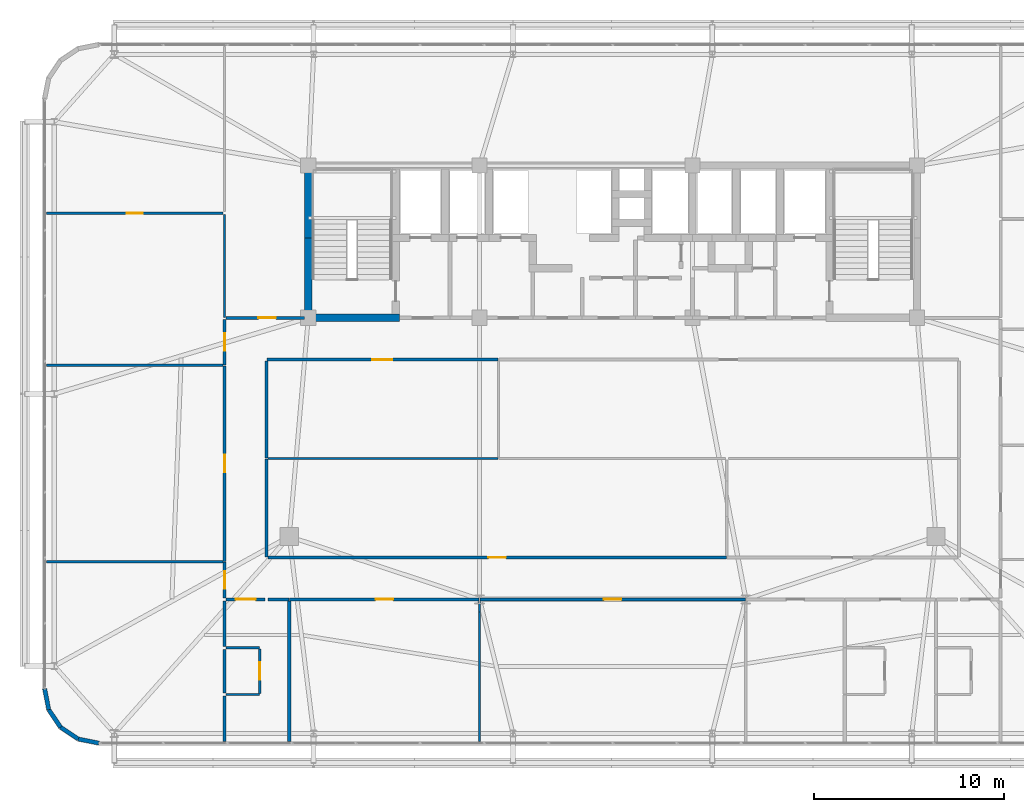
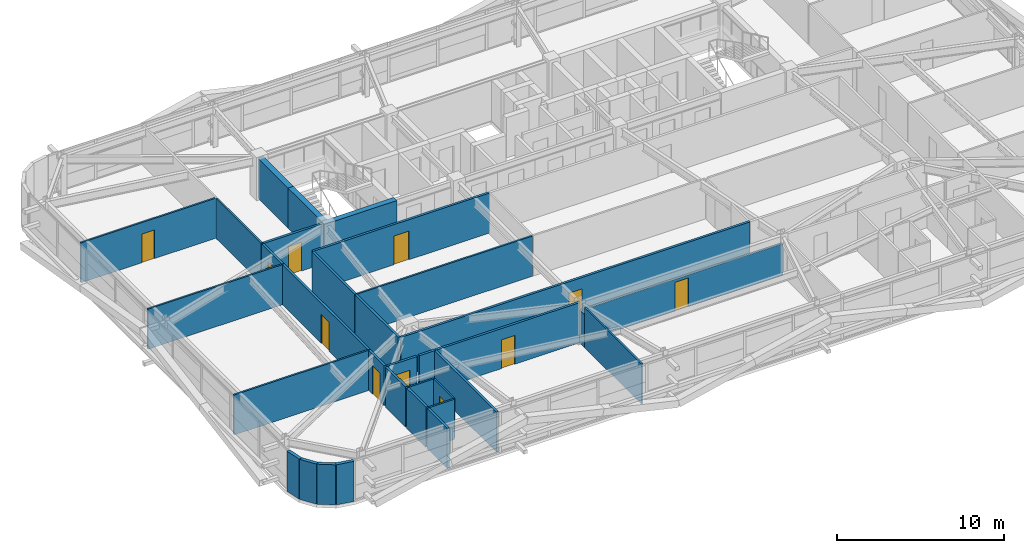
# One storey, part 52 of 59: 33 walls, 11 doors, 11 openings.
"""IFC4 building model written with IfcOpenShell, lengths in metres."""

from ifc_helpers import new_model, si_unit, direction, frame, frame_2d, origin, place, context, subcontext, project, spatial, rectangle, extrude, source, transform, mapped, material, layer, layer_set, type_object, element, fill, save


model = new_model("IFC4")

# Units and contexts
model_context = context("Model", 3, precision=1e-05, world=origin(), true_north=direction((0.0, 1.0)))
body_context = subcontext(model_context, "Body", "Model", "MODEL_VIEW")
ifc_project = project(units=[si_unit("LENGTHUNIT", "METRE"), si_unit("AREAUNIT", "SQUARE_METRE"), si_unit("VOLUMEUNIT", "CUBIC_METRE"), si_unit("PLANEANGLEUNIT", "RADIAN"), si_unit("MASSUNIT", "GRAM", prefix="KILO")], contexts=[model_context])

# Site, building, storey
site_placement = place(None, origin())
site = spatial("IfcSite", under=ifc_project, at=site_placement, CompositionType="ELEMENT")
building_placement = place(site_placement, origin())
building = spatial("IfcBuilding", under=site, at=building_placement, Name="Taldren Reach Tower", CompositionType="ELEMENT")
storey_placement = place(building_placement, frame((0.0, 0.0, 29.39990234375)))
storey = spatial("IfcBuildingStorey", under=building, at=storey_placement, Name="L08", CompositionType="ELEMENT", Elevation=29.39990234375)

# Walls
ifc_material_1 = material(Name="Pale Champagne Anodised Aluminium Cladding", Category="aluminium")
ifc_layer_1 = layer(ifc_material_1, 0.04, Name="Pale Champagne Anodised Aluminium Cladding", Category="aluminium")
ifc_material_2 = material(Name="Mineral Wool Acoustic Insulation", Category="insulation")
ifc_layer_2 = layer(ifc_material_2, 0.06, Name="Mineral Wool Acoustic Insulation", Category="insulation")
ifc_material_3 = material(Name="Steel Gr 350 (C350L0)", Category="steel")
ifc_layer_3 = layer(ifc_material_3, 0.12, Name="Steel Gr 350 (C350L0)", Category="steel")
ifc_layer_set_1 = layer_set([ifc_layer_1, ifc_layer_2, ifc_layer_3], Name="Pale Champagne Aluminium Cladding and Steel Gr 350 Stud Framing")
wall_type_1 = type_object("IfcWallType", Name="EW-CRN-220", PredefinedType="SOLIDWALL", material=ifc_layer_set_1)
shared_shape_1 = source(origin(), body_context, "Body", "SweptSolid", [
    extrude(rectangle(XDim=1.115966796875, YDim=0.219970703125, at=frame_2d((0.55810546875, 0.0))), origin(), (0.0, 0.0, 1.0), 2.93017578125),
])
for number, where, z_axis, x_axis, name in (
    (1, (5.139892578125, 4.5, 0.0), (0.0, 0.0, 1.0), (0.195148375659, -0.98077373103, 0.0), "Rounded-corner pale-metal facade wall L08-SW1"),
    (2, (5.357666015625, 3.405517578125, 0.0), (0.0, 0.0, 1.0), (0.555709556774, -0.83137650226, 0.0), "Rounded-corner pale-metal facade wall L08-SW2"),
    (3, (5.977783203125, 2.477783203125, 0.0), (0.0, 0.0, 1.0), (0.83137650226, -0.555709556774, 0.0), "Rounded-corner pale-metal facade wall L08-SW3"),
    (4, (6.905517578125, 1.857666015625, 0.0), (0.0, 0.0, 1.0), (0.98077373103, -0.195148375659, 0.0), "Rounded-corner pale-metal facade wall L08-SW4"),
):
    element("IfcWall", number, at=place(storey_placement, frame(where, z_axis=z_axis, x_axis=x_axis)), inside=storey, type_object=wall_type_1, Name=name, PredefinedType="SOLIDWALL", context=body_context, shape_type="MappedRepresentation", body=[
        mapped(shared_shape_1, transform((0.0, 0.0, 0.0), scale=1.0)),
    ])
ifc_material_4 = material(Name="Concrete S80 (80 MPa)", Category="concrete")
ifc_layer_4 = layer(ifc_material_4, 0.3798828125)
ifc_layer_set_2 = layer_set([ifc_layer_4], Name="Concrete S80 (80 MPa)")
wall_type_2 = type_object("IfcWallType", Name="IW-CORE-380", PredefinedType="SHEAR", material=ifc_layer_set_2)
shared_shape_2 = source(origin(), body_context, "Body", "SweptSolid", [
    extrude(rectangle(XDim=4.010009765625, YDim=0.3798828125, at=frame_2d((2.0048828125, 0.0))), origin(), (0.0, 0.0, 1.0), 2.93017578125),
])
wall_1_placement = place(storey_placement, frame((19.0, 24.18994140625, 0.0), z_axis=(0.0, 0.0, 1.0), x_axis=(0.0, 1.0, 0.0)))
element("IfcWall", 5, at=wall_1_placement, inside=storey, type_object=wall_type_2, Name="Rear Core Shear Wall W-CORE-L08-WEST1", PredefinedType="SHEAR", context=body_context, shape_type="MappedRepresentation", body=[
    mapped(shared_shape_2, transform((0.0, 0.0, 0.0), scale=1.0)),
])
shared_shape_3 = source(origin(), body_context, "Body", "SweptSolid", [
    extrude(rectangle(XDim=3.610107421875, YDim=0.3798828125, at=frame_2d((1.80517578125, 0.0))), origin(), (0.0, 0.0, 1.0), 2.93017578125),
])
wall_2_placement = place(storey_placement, frame((19.0, 28.199951171875, 0.0), z_axis=(0.0, 0.0, 1.0), x_axis=(0.0, 1.0, 0.0)))
element("IfcWall", 6, at=wall_2_placement, inside=storey, type_object=wall_type_2, Name="Rear Core Shear Wall W-CORE-L08-WEST2", PredefinedType="SHEAR", context=body_context, shape_type="MappedRepresentation", body=[
    mapped(shared_shape_3, transform((0.0, 0.0, 0.0), scale=1.0)),
])
shared_shape_4 = source(origin(), body_context, "Body", "SweptSolid", [
    extrude(rectangle(XDim=4.97998046875, YDim=0.3798828125, at=frame_2d((2.489990234375, 0.0))), origin(), (0.0, 0.0, 1.0), 2.93017578125),
])
wall_3_placement = place(storey_placement, frame((18.81005859375, 24.0, 0.0), z_axis=(0.0, 0.0, 1.0), x_axis=(1.0, 0.0, 0.0)))
element("IfcWall", 7, at=wall_3_placement, inside=storey, type_object=wall_type_2, Name="Rear Core Shear Wall W-INT-L08-003", PredefinedType="SHEAR", context=body_context, shape_type="MappedRepresentation", body=[
    mapped(shared_shape_4, transform((0.0, 0.0, 0.0), scale=1.0)),
])
ifc_material_5 = material(Name="Fire-Rated Acoustic Plasterboard Stud Wall", Category="gypsum")
ifc_layer_5 = layer(ifc_material_5, 0.159912109375)
ifc_layer_set_3 = layer_set([ifc_layer_5], Name="Fire-Rated Acoustic Plasterboard Stud Wall")
wall_type_3 = type_object("IfcWallType", Name="IW-FIRE-160", PredefinedType="PARTITIONING", material=ifc_layer_set_3)
shared_shape_5 = source(origin(), body_context, "Body", "SweptSolid", [
    extrude(rectangle(XDim=5.15966796875, YDim=0.159912109375, at=frame_2d((2.579833984375, 0.0))), origin(), (0.0, 0.0, 1.0), 2.93017578125),
])
wall_4_placement = place(storey_placement, frame((16.800048828125, 16.579833984375, 0.0), z_axis=(0.0, 0.0, 1.0), x_axis=(0.0, -1.0, 0.0)))
element("IfcWall", 8, at=wall_4_placement, inside=storey, type_object=wall_type_3, Name="Interior Partition Wall W-INT-L08-060", PredefinedType="PARTITIONING", context=body_context, shape_type="MappedRepresentation", body=[
    mapped(shared_shape_5, transform((0.0, 0.0, 0.0), scale=1.0)),
])

# Wall, opening, door
shared_shape_6 = source(origin(), body_context, "Body", "SweptSolid", [
    extrude(rectangle(XDim=12.159423828125, YDim=0.159912109375, at=frame_2d((6.07958984375, 0.0))), origin(), (0.0, 0.0, 1.0), 2.93017578125),
])
wall_5_placement = place(storey_placement, frame((28.979736328125, 21.800048828125, 0.0), z_axis=(0.0, 0.0, 1.0), x_axis=(-1.0, 0.0, 0.0)))
wall_5 = element("IfcWall", 9, at=wall_5_placement, inside=storey, type_object=wall_type_3, Name="Interior Partition Wall W-INT-L08-062", PredefinedType="PARTITIONING", context=body_context, shape_type="MappedRepresentation", body=[
    mapped(shared_shape_6, transform((0.0, 0.0, 0.0), scale=1.0)),
])
shared_shape_7 = source(origin(), body_context, "Body", "SweptSolid", [
    extrude(rectangle(XDim=1.050048828125, YDim=2.10009765625, at=frame_2d((0.52490234375, 1.050048828125))), frame((0.0, 0.08984375, 0.0), z_axis=(0.0, -1.0, 0.0), x_axis=(1.0, 0.0, 0.0)), (0.0, 0.0, 1.0), 0.179931640625),
])
opening_1_placement = place(wall_5_placement, frame((5.5546875, 0.0, 0.0)))
opening_1 = element("IfcOpeningElement", 10, at=opening_1_placement, cuts=wall_5, Name="Opening DF-105", PredefinedType="OPENING", context=body_context, shape_type="MappedRepresentation", body=[
    mapped(shared_shape_7, transform((0.0, 0.0, 0.0), scale=1.0)),
])
ifc_material_6 = material(Name="Fire-Rated Care and Stair Exit Door")
door_type_1 = type_object("IfcDoorType", Name="ID-FIRE-105", OperationType="NOTDEFINED", PredefinedType="DOOR", material=ifc_material_6)
shared_shape_8 = source(origin(), body_context, "Body", "SweptSolid", [
    extrude(rectangle(XDim=1.050048828125, YDim=2.10009765625, at=frame_2d((0.52490234375, 1.050048828125))), frame((0.0, 0.02490234375, 0.0), z_axis=(0.0, -1.0, 0.0), x_axis=(1.0, 0.0, 0.0)), (0.0, 0.0, 1.0), 0.050048828125),
])
door_1_placement = place(opening_1_placement, origin())
door_1 = element("IfcDoor", 11, at=door_1_placement, inside=storey, type_object=door_type_1, Name="Interior Door DR-L08-014", OperationType="SINGLE_SWING_LEFT", OverallHeight=2.10009765625, OverallWidth=1.050048828125, PredefinedType="DOOR", context=body_context, shape_type="MappedRepresentation", body=[
    mapped(shared_shape_8, transform((0.0, 0.0, 0.0), scale=1.0)),
])
fill(opening_1, door_1)

# Wall
shared_shape_9 = source(origin(), body_context, "Body", "SweptSolid", [
    extrude(rectangle(XDim=5.099853515625, YDim=0.159912109375, at=frame_2d((2.5498046875, 0.0))), origin(), (0.0, 0.0, 1.0), 2.93017578125),
])
wall_6_placement = place(storey_placement, frame((16.800048828125, 21.719970703125, 0.0), z_axis=(0.0, 0.0, 1.0), x_axis=(0.0, -1.0, 0.0)))
element("IfcWall", 12, at=wall_6_placement, inside=storey, type_object=wall_type_3, Name="Interior Partition Wall W-INT-L08-063", PredefinedType="PARTITIONING", context=body_context, shape_type="MappedRepresentation", body=[
    mapped(shared_shape_9, transform((0.0, 0.0, 0.0), scale=1.0)),
])

# Wall, opening, door
shared_shape_10 = source(origin(), body_context, "Body", "SweptSolid", [
    extrude(rectangle(XDim=2.0400390625, YDim=0.159912109375, at=frame_2d((1.02001953125, 0.0))), origin(), (0.0, 0.0, 1.0), 2.93017578125),
])
wall_7_placement = place(storey_placement, frame((16.719970703125, 9.199951171875, 0.0), z_axis=(0.0, 0.0, 1.0), x_axis=(-1.0, 0.0, 0.0)))
wall_7 = element("IfcWall", 13, at=wall_7_placement, inside=storey, type_object=wall_type_3, Name="Interior Partition Wall W-INT-L08-066", PredefinedType="PARTITIONING", context=body_context, shape_type="MappedRepresentation", body=[
    mapped(shared_shape_10, transform((0.0, 0.0, 0.0), scale=1.0)),
])
opening_2_placement = place(wall_7_placement, frame((0.4951171875, 0.0, 0.0)))
opening_2 = element("IfcOpeningElement", 14, at=opening_2_placement, cuts=wall_7, Name="Opening DF-105", PredefinedType="OPENING", context=body_context, shape_type="MappedRepresentation", body=[
    mapped(shared_shape_7, transform((0.0, 0.0, 0.0), scale=1.0)),
])
door_2_placement = place(opening_2_placement, origin())
door_2 = element("IfcDoor", 15, at=door_2_placement, inside=storey, type_object=door_type_1, Name="Interior Door DR-L08-016", OperationType="SINGLE_SWING_LEFT", OverallHeight=2.10009765625, OverallWidth=1.050048828125, PredefinedType="DOOR", context=body_context, shape_type="MappedRepresentation", body=[
    mapped(shared_shape_8, transform((0.0, 0.0, 0.0), scale=1.0)),
])
fill(opening_2, door_2)

shared_shape_11 = source(origin(), body_context, "Body", "SweptSolid", [
    extrude(rectangle(XDim=1.877685546875, YDim=0.159912109375, at=frame_2d((0.93896484375, 0.0))), origin(), (0.0, 0.0, 1.0), 2.93017578125),
])
wall_8_placement = place(storey_placement, frame((14.60009765625, 9.280029296875, 0.0), z_axis=(0.0, 0.0, 1.0), x_axis=(0.0, 1.0, 0.0)))
wall_8 = element("IfcWall", 16, at=wall_8_placement, inside=storey, type_object=wall_type_3, Name="Interior Partition Wall W-INT-L08-068", PredefinedType="PARTITIONING", context=body_context, shape_type="MappedRepresentation", body=[
    mapped(shared_shape_11, transform((0.0, 0.0, 0.0), scale=1.0)),
])
shared_shape_12 = source(origin(), body_context, "Body", "SweptSolid", [
    extrude(rectangle(XDim=0.919921875, YDim=2.10009765625, at=frame_2d((0.4599609375, 1.050048828125))), frame((0.0, 0.08984375, 0.0), z_axis=(0.0, -1.0, 0.0), x_axis=(1.0, 0.0, 0.0)), (0.0, 0.0, 1.0), 0.179931640625),
])
opening_3_placement = place(wall_8_placement, frame((0.47900390625, 0.0, 0.0)))
opening_3 = element("IfcOpeningElement", 17, at=opening_3_placement, cuts=wall_8, Name="Opening DI-092", PredefinedType="OPENING", context=body_context, shape_type="MappedRepresentation", body=[
    mapped(shared_shape_12, transform((0.0, 0.0, 0.0), scale=1.0)),
])
ifc_material_7 = material(Name="Solid-Core Timber Suite Door", Category="wood")
door_type_2 = type_object("IfcDoorType", Name="ID-INT-092", OperationType="NOTDEFINED", PredefinedType="DOOR", material=ifc_material_7)
shared_shape_13 = source(origin(), body_context, "Body", "SweptSolid", [
    extrude(rectangle(XDim=0.919921875, YDim=2.10009765625, at=frame_2d((0.4599609375, 1.050048828125))), frame((0.0, 0.02490234375, 0.0), z_axis=(0.0, -1.0, 0.0), x_axis=(1.0, 0.0, 0.0)), (0.0, 0.0, 1.0), 0.050048828125),
])
door_3_placement = place(opening_3_placement, origin())
door_3 = element("IfcDoor", 18, at=door_3_placement, inside=storey, type_object=door_type_2, Name="Interior Door DR-L08-018", OperationType="SINGLE_SWING_LEFT", OverallHeight=2.10009765625, OverallWidth=0.919921875, PredefinedType="DOOR", context=body_context, shape_type="MappedRepresentation", body=[
    mapped(shared_shape_13, transform((0.0, 0.0, 0.0), scale=1.0)),
])
fill(opening_3, door_3)

shared_shape_14 = source(origin(), body_context, "Body", "SweptSolid", [
    extrude(rectangle(XDim=10.28125, YDim=0.159912109375, at=frame_2d((5.140625, 0.0))), origin(), (0.0, 0.0, 1.0), 2.93017578125),
])
wall_9_placement = place(storey_placement, frame((14.60009765625, 11.1982421875, 0.0), z_axis=(0.0, 0.0, 1.0), x_axis=(0.0, 1.0, 0.0)))
wall_9 = element("IfcWall", 19, at=wall_9_placement, inside=storey, type_object=wall_type_3, Name="Interior Partition Wall W-INT-L08-069", PredefinedType="PARTITIONING", context=body_context, shape_type="MappedRepresentation", body=[
    mapped(shared_shape_14, transform((0.0, 0.0, 0.0), scale=1.0)),
])
opening_4_placement = place(wall_9_placement, frame((4.6806640625, 0.0, 0.0)))
opening_4 = element("IfcOpeningElement", 20, at=opening_4_placement, cuts=wall_9, Name="Opening DI-092", PredefinedType="OPENING", context=body_context, shape_type="MappedRepresentation", body=[
    mapped(shared_shape_12, transform((0.0, 0.0, 0.0), scale=1.0)),
])
door_4_placement = place(opening_4_placement, origin())
door_4 = element("IfcDoor", 21, at=door_4_placement, inside=storey, type_object=door_type_2, Name="Interior Door DR-L08-019", OperationType="SINGLE_SWING_RIGHT", OverallHeight=2.10009765625, OverallWidth=0.919921875, PredefinedType="DOOR", context=body_context, shape_type="MappedRepresentation", body=[
    mapped(shared_shape_13, transform((0.0, 0.0, 0.0), scale=1.0)),
])
fill(opening_4, door_4)

shared_shape_15 = source(origin(), body_context, "Body", "SweptSolid", [
    extrude(rectangle(XDim=2.399658203125, YDim=0.159912109375, at=frame_2d((1.19970703125, 0.0))), origin(), (0.0, 0.0, 1.0), 2.93017578125),
])
wall_10_placement = place(storey_placement, frame((14.60009765625, 21.520263671875, 0.0), z_axis=(0.0, 0.0, 1.0), x_axis=(0.0, 1.0, 0.0)))
wall_10 = element("IfcWall", 22, at=wall_10_placement, inside=storey, type_object=wall_type_3, Name="Interior Partition Wall W-INT-L08-070", PredefinedType="PARTITIONING", context=body_context, shape_type="MappedRepresentation", body=[
    mapped(shared_shape_15, transform((0.0, 0.0, 0.0), scale=1.0)),
])
opening_5_placement = place(wall_10_placement, frame((0.739990234375, 0.0, 0.0)))
opening_5 = element("IfcOpeningElement", 23, at=opening_5_placement, cuts=wall_10, Name="Opening DI-092", PredefinedType="OPENING", context=body_context, shape_type="MappedRepresentation", body=[
    mapped(shared_shape_12, transform((0.0, 0.0, 0.0), scale=1.0)),
])
door_5_placement = place(opening_5_placement, origin())
door_5 = element("IfcDoor", 24, at=door_5_placement, inside=storey, type_object=door_type_2, Name="Interior Door DR-L08-020", OperationType="SINGLE_SWING_LEFT", OverallHeight=2.10009765625, OverallWidth=0.919921875, PredefinedType="DOOR", context=body_context, shape_type="MappedRepresentation", body=[
    mapped(shared_shape_13, transform((0.0, 0.0, 0.0), scale=1.0)),
])
fill(opening_5, door_5)

shared_shape_16 = source(origin(), body_context, "Body", "SweptSolid", [
    extrude(rectangle(XDim=4.130126953125, YDim=0.159912109375, at=frame_2d((2.06494140625, 0.0))), origin(), (0.0, 0.0, 1.0), 2.93017578125),
])
wall_11_placement = place(storey_placement, frame((14.679931640625, 24.0, 0.0), z_axis=(0.0, 0.0, 1.0), x_axis=(1.0, 0.0, 0.0)))
wall_11 = element("IfcWall", 25, at=wall_11_placement, inside=storey, type_object=wall_type_3, Name="Interior Partition Wall W-INT-L08-075", PredefinedType="PARTITIONING", context=body_context, shape_type="MappedRepresentation", body=[
    mapped(shared_shape_16, transform((0.0, 0.0, 0.0), scale=1.0)),
])
opening_6_placement = place(wall_11_placement, frame((1.68994140625, 0.0, 0.0)))
opening_6 = element("IfcOpeningElement", 26, at=opening_6_placement, cuts=wall_11, Name="Opening DI-092", PredefinedType="OPENING", context=body_context, shape_type="MappedRepresentation", body=[
    mapped(shared_shape_12, transform((0.0, 0.0, 0.0), scale=1.0)),
])
door_6_placement = place(opening_6_placement, origin())
door_6 = element("IfcDoor", 27, at=door_6_placement, inside=storey, type_object=door_type_2, Name="Interior Door DR-L08-024", OperationType="SINGLE_SWING_LEFT", OverallHeight=2.10009765625, OverallWidth=0.919921875, PredefinedType="DOOR", context=body_context, shape_type="MappedRepresentation", body=[
    mapped(shared_shape_13, transform((0.0, 0.0, 0.0), scale=1.0)),
])
fill(opening_6, door_6)

shared_shape_17 = source(origin(), body_context, "Body", "SweptSolid", [
    extrude(rectangle(XDim=24.099853515625, YDim=0.159912109375, at=frame_2d((12.0498046875, 0.0))), origin(), (0.0, 0.0, 1.0), 2.93017578125),
])
wall_12_placement = place(storey_placement, frame((16.8798828125, 11.39990234375, 0.0), z_axis=(0.0, 0.0, 1.0), x_axis=(1.0, 0.0, 0.0)))
wall_12 = element("IfcWall", 28, at=wall_12_placement, inside=storey, type_object=wall_type_3, Name="Interior Partition Wall W-INT-L08-077", PredefinedType="PARTITIONING", context=body_context, shape_type="MappedRepresentation", body=[
    mapped(shared_shape_17, transform((0.0, 0.0, 0.0), scale=1.0)),
])
opening_7_placement = place(wall_12_placement, frame((11.58984375, 0.0, 0.0)))
opening_7 = element("IfcOpeningElement", 29, at=opening_7_placement, cuts=wall_12, Name="Opening DI-092", PredefinedType="OPENING", context=body_context, shape_type="MappedRepresentation", body=[
    mapped(shared_shape_12, transform((0.0, 0.0, 0.0), scale=1.0)),
])
door_7_placement = place(opening_7_placement, origin())
door_7 = element("IfcDoor", 30, at=door_7_placement, inside=storey, type_object=door_type_2, Name="Interior Door DR-L08-025", OperationType="SINGLE_SWING_RIGHT", OverallHeight=2.10009765625, OverallWidth=0.919921875, PredefinedType="DOOR", context=body_context, shape_type="MappedRepresentation", body=[
    mapped(shared_shape_13, transform((0.0, 0.0, 0.0), scale=1.0)),
])
fill(opening_7, door_7)

# Wall
shared_shape_18 = source(origin(), body_context, "Body", "SweptSolid", [
    extrude(rectangle(XDim=1.099853515625, YDim=0.159912109375, at=frame_2d((0.5498046875, 0.0))), origin(), (0.0, 0.0, 1.0), 2.93017578125),
])
wall_13_placement = place(storey_placement, frame((17.979736328125, 9.199951171875, 0.0), z_axis=(0.0, 0.0, 1.0), x_axis=(-1.0, 0.0, 0.0)))
element("IfcWall", 31, at=wall_13_placement, inside=storey, type_object=wall_type_3, Name="Interior Partition Wall W-INT-L08-079", PredefinedType="PARTITIONING", context=body_context, shape_type="MappedRepresentation", body=[
    mapped(shared_shape_18, transform((0.0, 0.0, 0.0), scale=1.0)),
])

# Wall, opening, door
shared_shape_19 = source(origin(), body_context, "Body", "SweptSolid", [
    extrude(rectangle(XDim=9.95947265625, YDim=0.159912109375, at=frame_2d((4.979736328125, 0.0))), origin(), (0.0, 0.0, 1.0), 2.93017578125),
])
wall_14_placement = place(storey_placement, frame((27.979736328125, 9.199951171875, 0.0), z_axis=(0.0, 0.0, 1.0), x_axis=(-1.0, 0.0, 0.0)))
wall_14 = element("IfcWall", 32, at=wall_14_placement, inside=storey, type_object=wall_type_3, Name="Interior Partition Wall W-INT-L08-080", PredefinedType="PARTITIONING", context=body_context, shape_type="MappedRepresentation", body=[
    mapped(shared_shape_19, transform((0.0, 0.0, 0.0), scale=1.0)),
])
opening_8_placement = place(wall_14_placement, frame((4.519775390625, 0.0, 0.0)))
opening_8 = element("IfcOpeningElement", 33, at=opening_8_placement, cuts=wall_14, Name="Opening DI-092", PredefinedType="OPENING", context=body_context, shape_type="MappedRepresentation", body=[
    mapped(shared_shape_12, transform((0.0, 0.0, 0.0), scale=1.0)),
])
door_8_placement = place(opening_8_placement, origin())
door_8 = element("IfcDoor", 34, at=door_8_placement, inside=storey, type_object=door_type_2, Name="Interior Door DR-L08-027", OperationType="SINGLE_SWING_RIGHT", OverallHeight=2.10009765625, OverallWidth=0.919921875, PredefinedType="DOOR", context=body_context, shape_type="MappedRepresentation", body=[
    mapped(shared_shape_13, transform((0.0, 0.0, 0.0), scale=1.0)),
])
fill(opening_8, door_8)

shared_shape_20 = source(origin(), body_context, "Body", "SweptSolid", [
    extrude(rectangle(XDim=13.95947265625, YDim=0.159912109375, at=frame_2d((6.979736328125, 0.0))), origin(), (0.0, 0.0, 1.0), 2.328125),
])
wall_15_placement = place(storey_placement, frame((41.979736328125, 9.199951171875, 0.0), z_axis=(0.0, 0.0, 1.0), x_axis=(-1.0, 0.0, 0.0)))
wall_15 = element("IfcWall", 35, at=wall_15_placement, inside=storey, type_object=wall_type_3, Name="Interior Partition Wall W-INT-L08-081", PredefinedType="PARTITIONING", context=body_context, shape_type="MappedRepresentation", body=[
    mapped(shared_shape_20, transform((0.0, 0.0, 0.0), scale=1.0)),
])
opening_9_placement = place(wall_15_placement, frame((6.519775390625, 0.0, 0.0)))
opening_9 = element("IfcOpeningElement", 36, at=opening_9_placement, cuts=wall_15, Name="Opening DI-092", PredefinedType="OPENING", context=body_context, shape_type="MappedRepresentation", body=[
    mapped(shared_shape_12, transform((0.0, 0.0, 0.0), scale=1.0)),
])
door_9_placement = place(opening_9_placement, origin())
door_9 = element("IfcDoor", 37, at=door_9_placement, inside=storey, type_object=door_type_2, Name="Interior Door DR-L08-028", OperationType="SINGLE_SWING_LEFT", OverallHeight=2.10009765625, OverallWidth=0.919921875, PredefinedType="DOOR", context=body_context, shape_type="MappedRepresentation", body=[
    mapped(shared_shape_13, transform((0.0, 0.0, 0.0), scale=1.0)),
])
fill(opening_9, door_9)

# Wall
ifc_material_8 = material(Name="Insulated Residential Stud Partition", Category="gypsum")
ifc_layer_6 = layer(ifc_material_8, 0.1201171875)
ifc_layer_set_4 = layer_set([ifc_layer_6], Name="Insulated Residential Stud Partition")
wall_type_4 = type_object("IfcWallType", Name="IW-PART-120", PredefinedType="PARTITIONING", material=ifc_layer_set_4)
shared_shape_21 = source(origin(), body_context, "Body", "SweptSolid", [
    extrude(rectangle(XDim=12.099853515625, YDim=0.1201171875, at=frame_2d((6.0498046875, 0.0))), origin(), (0.0, 0.0, 1.0), 2.93017578125),
])
wall_16_placement = place(storey_placement, frame((16.8798828125, 16.60009765625, 0.0), z_axis=(0.0, 0.0, 1.0), x_axis=(1.0, 0.0, 0.0)))
element("IfcWall", 38, at=wall_16_placement, inside=storey, type_object=wall_type_4, Name="Interior Partition Wall W-INT-L08-086", PredefinedType="PARTITIONING", context=body_context, shape_type="MappedRepresentation", body=[
    mapped(shared_shape_21, transform((0.0, 0.0, 0.0), scale=1.0)),
])

# Wall, opening, door
shared_shape_22 = source(origin(), body_context, "Body", "SweptSolid", [
    extrude(rectangle(XDim=2.330078125, YDim=0.1201171875, at=frame_2d((1.1650390625, 0.0))), origin(), (0.0, 0.0, 1.0), 2.93017578125),
])
wall_17_placement = place(storey_placement, frame((16.449951171875, 4.260009765625, 0.0), z_axis=(0.0, 0.0, 1.0), x_axis=(0.0, 1.0, 0.0)))
wall_17 = element("IfcWall", 39, at=wall_17_placement, inside=storey, type_object=wall_type_4, Name="Interior Partition Wall W-INT-L08-090", PredefinedType="PARTITIONING", context=body_context, shape_type="MappedRepresentation", body=[
    mapped(shared_shape_22, transform((0.0, 0.0, 0.0), scale=1.0)),
])
shared_shape_23 = source(origin(), body_context, "Body", "SweptSolid", [
    extrude(rectangle(XDim=0.919921875, YDim=2.10009765625, at=frame_2d((0.4599609375, 1.050048828125))), frame((0.0, 0.070068359375, 0.0), z_axis=(0.0, -1.0, 0.0), x_axis=(1.0, 0.0, 0.0)), (0.0, 0.0, 1.0), 0.14013671875),
])
opening_10_placement = place(wall_17_placement, frame((0.705078125, 0.0, 0.0)))
opening_10 = element("IfcOpeningElement", 40, at=opening_10_placement, cuts=wall_17, Name="Opening DI-092", PredefinedType="OPENING", context=body_context, shape_type="MappedRepresentation", body=[
    mapped(shared_shape_23, transform((0.0, 0.0, 0.0), scale=1.0)),
])
door_10_placement = place(opening_10_placement, origin())
door_10 = element("IfcDoor", 41, at=door_10_placement, inside=storey, type_object=door_type_2, Name="Interior Door DR-L08-031", OperationType="SINGLE_SWING_RIGHT", OverallHeight=2.10009765625, OverallWidth=0.919921875, PredefinedType="DOOR", context=body_context, shape_type="MappedRepresentation", body=[
    mapped(shared_shape_13, transform((0.0, 0.0, 0.0), scale=1.0)),
])
fill(opening_10, door_10)

# Walls
shared_shape_24 = source(origin(), body_context, "Body", "SweptSolid", [
    extrude(rectangle(XDim=1.749755859375, YDim=0.1201171875, at=frame_2d((0.875, 0.0))), origin(), (0.0, 0.0, 1.0), 2.93017578125),
])
for number, where, z_axis, x_axis, name in (
    (42, (14.679931640625, 4.199951171875, 0.0), (0.0, 0.0, 1.0), (1.0, 0.0, 0.0), "Interior Partition Wall W-INT-L08-091"),
    (43, (16.4296875, 6.64990234375, 0.0), (0.0, 0.0, 1.0), (-1.0, 0.0, 0.0), "Interior Partition Wall W-INT-L08-092"),
):
    element("IfcWall", number, at=place(storey_placement, frame(where, z_axis=z_axis, x_axis=x_axis)), inside=storey, type_object=wall_type_4, Name=name, PredefinedType="PARTITIONING", context=body_context, shape_type="MappedRepresentation", body=[
        mapped(shared_shape_24, transform((0.0, 0.0, 0.0), scale=1.0)),
    ])
shared_shape_25 = source(origin(), body_context, "Body", "SweptSolid", [
    extrude(rectangle(XDim=7.385986328125, YDim=0.159912109375, at=frame_2d((3.69287109375, 0.0))), origin(), (0.0, 0.0, 1.0), 2.93017578125),
])
wall_18_placement = place(storey_placement, frame((18.0, 9.117919921875, 0.0), z_axis=(0.0, 0.0, 1.0), x_axis=(0.0, -1.0, 0.0)))
element("IfcWall", 44, at=wall_18_placement, inside=storey, type_object=wall_type_3, Name="Interior Partition Wall W-INT-L08-093", PredefinedType="PARTITIONING", context=body_context, shape_type="MappedRepresentation", body=[
    mapped(shared_shape_25, transform((0.0, 0.0, 0.0), scale=1.0)),
])
shared_shape_26 = source(origin(), body_context, "Body", "SweptSolid", [
    extrude(rectangle(XDim=2.38818359375, YDim=0.159912109375, at=frame_2d((1.194091796875, 0.0))), origin(), (0.0, 0.0, 1.0), 2.93017578125),
])
wall_19_placement = place(storey_placement, frame((14.60009765625, 1.73193359375, 0.0), z_axis=(0.0, 0.0, 1.0), x_axis=(0.0, 1.0, 0.0)))
element("IfcWall", 45, at=wall_19_placement, inside=storey, type_object=wall_type_3, Name="Interior Partition Wall W-INT-L08-094", PredefinedType="PARTITIONING", context=body_context, shape_type="MappedRepresentation", body=[
    mapped(shared_shape_26, transform((0.0, 0.0, 0.0), scale=1.0)),
])
shared_shape_27 = source(origin(), body_context, "Body", "SweptSolid", [
    extrude(rectangle(XDim=2.387939453125, YDim=0.159912109375, at=frame_2d((1.19384765625, 0.0))), origin(), (0.0, 0.0, 1.0), 2.93017578125),
])
wall_20_placement = place(storey_placement, frame((14.60009765625, 6.72998046875, 0.0), z_axis=(0.0, 0.0, 1.0), x_axis=(0.0, 1.0, 0.0)))
element("IfcWall", 46, at=wall_20_placement, inside=storey, type_object=wall_type_3, Name="Interior Partition Wall W-INT-L08-095", PredefinedType="PARTITIONING", context=body_context, shape_type="MappedRepresentation", body=[
    mapped(shared_shape_27, transform((0.0, 0.0, 0.0), scale=1.0)),
])
shared_shape_28 = source(origin(), body_context, "Body", "SweptSolid", [
    extrude(rectangle(XDim=2.2900390625, YDim=0.159912109375, at=frame_2d((1.14501953125, 0.0))), origin(), (0.0, 0.0, 1.0), 2.93017578125),
])
wall_21_placement = place(storey_placement, frame((14.60009765625, 4.280029296875, 0.0), z_axis=(0.0, 0.0, 1.0), x_axis=(0.0, 1.0, 0.0)))
element("IfcWall", 47, at=wall_21_placement, inside=storey, type_object=wall_type_3, Name="Interior Partition Wall W-INT-L08-096", PredefinedType="PARTITIONING", context=body_context, shape_type="MappedRepresentation", body=[
    mapped(shared_shape_28, transform((0.0, 0.0, 0.0), scale=1.0)),
])
shared_shape_29 = source(origin(), body_context, "Body", "SweptSolid", [
    extrude(rectangle(XDim=0.591796875, YDim=0.1201171875, at=frame_2d((0.2958984375, 0.0))), origin(), (0.0, 0.0, 1.0), 2.397216796875),
])
wall_22_placement = place(storey_placement, frame((28.0, 9.1201171875, 0.0), z_axis=(0.0, 0.0, 1.0), x_axis=(0.0, -1.0, 0.0)))
element("IfcWall", 48, at=wall_22_placement, inside=storey, type_object=wall_type_4, Name="Interior Partition Wall W-INT-L08-097", PredefinedType="PARTITIONING", context=body_context, shape_type="MappedRepresentation", body=[
    mapped(shared_shape_29, transform((0.0, 0.0, 0.0), scale=1.0)),
])
shared_shape_30 = source(origin(), body_context, "Body", "SweptSolid", [
    extrude(rectangle(XDim=6.79833984375, YDim=0.1201171875, at=frame_2d((3.399169921875, 0.0))), origin(), (0.0, 0.0, 1.0), 2.93017578125),
])
wall_23_placement = place(storey_placement, frame((28.0, 8.5283203125, 0.0), z_axis=(0.0, 0.0, 1.0), x_axis=(0.0, -1.0, 0.0)))
element("IfcWall", 49, at=wall_23_placement, inside=storey, type_object=wall_type_4, Name="Interior Partition Wall W-INT-L08-097 part 2", PredefinedType="PARTITIONING", context=body_context, shape_type="MappedRepresentation", body=[
    mapped(shared_shape_30, transform((0.0, 0.0, 0.0), scale=1.0)),
])
shared_shape_31 = source(origin(), body_context, "Body", "SweptSolid", [
    extrude(rectangle(XDim=9.2900390625, YDim=0.1201171875, at=frame_2d((4.64501953125, 0.0))), origin(), (0.0, 0.0, 1.0), 2.93017578125),
])
wall_24_placement = place(storey_placement, frame((5.22998046875, 11.177978515625, 0.0), z_axis=(0.0, 0.0, 1.0), x_axis=(1.0, 0.0, 0.0)))
element("IfcWall", 50, at=wall_24_placement, inside=storey, type_object=wall_type_4, Name="Interior Partition Wall W-INT-L08-112", PredefinedType="PARTITIONING", context=body_context, shape_type="MappedRepresentation", body=[
    mapped(shared_shape_31, transform((0.0, 0.0, 0.0), scale=1.0)),
])

# Wall, opening, door
wall_25_placement = place(storey_placement, frame((5.22998046875, 29.5, 0.0), z_axis=(0.0, 0.0, 1.0), x_axis=(1.0, 0.0, 0.0)))
wall_25 = element("IfcWall", 51, at=wall_25_placement, inside=storey, type_object=wall_type_4, Name="Interior Partition Wall W-INT-L08-114", PredefinedType="PARTITIONING", context=body_context, shape_type="MappedRepresentation", body=[
    mapped(shared_shape_31, transform((0.0, 0.0, 0.0), scale=1.0)),
])
shared_shape_32 = source(origin(), body_context, "Body", "SweptSolid", [
    extrude(rectangle(XDim=0.860107421875, YDim=2.10009765625, at=frame_2d((0.43017578125, 1.050048828125))), frame((0.0, 0.070068359375, 0.0), z_axis=(0.0, -1.0, 0.0), x_axis=(1.0, 0.0, 0.0)), (0.0, 0.0, 1.0), 0.14013671875),
])
opening_11_placement = place(wall_25_placement, frame((4.215087890625, 0.0, 0.0)))
opening_11 = element("IfcOpeningElement", 52, at=opening_11_placement, cuts=wall_25, Name="Opening DI-086", PredefinedType="OPENING", context=body_context, shape_type="MappedRepresentation", body=[
    mapped(shared_shape_32, transform((0.0, 0.0, 0.0), scale=1.0)),
])
ifc_material_9 = material(Name="Timber Bathroom Door", Category="wood")
door_type_3 = type_object("IfcDoorType", Name="ID-INT-086", OperationType="NOTDEFINED", PredefinedType="DOOR", material=ifc_material_9)
shared_shape_33 = source(origin(), body_context, "Body", "SweptSolid", [
    extrude(rectangle(XDim=0.860107421875, YDim=2.10009765625, at=frame_2d((0.43017578125, 1.050048828125))), frame((0.0, 0.02490234375, 0.0), z_axis=(0.0, -1.0, 0.0), x_axis=(1.0, 0.0, 0.0)), (0.0, 0.0, 1.0), 0.050048828125),
])
door_11_placement = place(opening_11_placement, frame((0.860107421875, 0.0, 0.0), z_axis=(0.0, 0.0, 1.0), x_axis=(-1.0, 0.0, 0.0)))
door_11 = element("IfcDoor", 53, at=door_11_placement, inside=storey, type_object=door_type_3, Name="Interior Door DR-L08-035", OperationType="SINGLE_SWING_LEFT", OverallHeight=2.10009765625, OverallWidth=0.860107421875, PredefinedType="DOOR", context=body_context, shape_type="MappedRepresentation", body=[
    mapped(shared_shape_33, transform((0.0, 0.0, 0.0), scale=1.0)),
])
fill(opening_11, door_11)

# Walls
shared_shape_34 = source(origin(), body_context, "Body", "SweptSolid", [
    extrude(rectangle(XDim=9.2841796875, YDim=0.1201171875, at=frame_2d((4.64208984375, 0.0))), origin(), (0.0, 0.0, 1.0), 2.93017578125),
])
wall_26_placement = place(storey_placement, frame((5.23291015625, 21.5, 0.0), z_axis=(0.0, 0.0, 1.0), x_axis=(1.0, 0.0, 0.0)))
element("IfcWall", 54, at=wall_26_placement, inside=storey, type_object=wall_type_4, Name="Interior Partition Wall W-INT-L08-113", PredefinedType="PARTITIONING", context=body_context, shape_type="MappedRepresentation", body=[
    mapped(shared_shape_34, transform((0.0, 0.0, 0.0), scale=1.0)),
])
shared_shape_35 = source(origin(), body_context, "Body", "SweptSolid", [
    extrude(rectangle(XDim=5.399658203125, YDim=0.1201171875, at=frame_2d((2.69970703125, 0.0))), origin(), (0.0, 0.0, 1.0), 2.93017578125),
])
wall_27_placement = place(storey_placement, frame((14.60009765625, 29.419921875, 0.0), z_axis=(0.0, 0.0, 1.0), x_axis=(0.0, -1.0, 0.0)))
element("IfcWall", 55, at=wall_27_placement, inside=storey, type_object=wall_type_4, Name="Interior Partition Wall W-INT-L08-115", PredefinedType="PARTITIONING", context=body_context, shape_type="MappedRepresentation", body=[
    mapped(shared_shape_35, transform((0.0, 0.0, 0.0), scale=1.0)),
])

save(model, "model.ifc")
